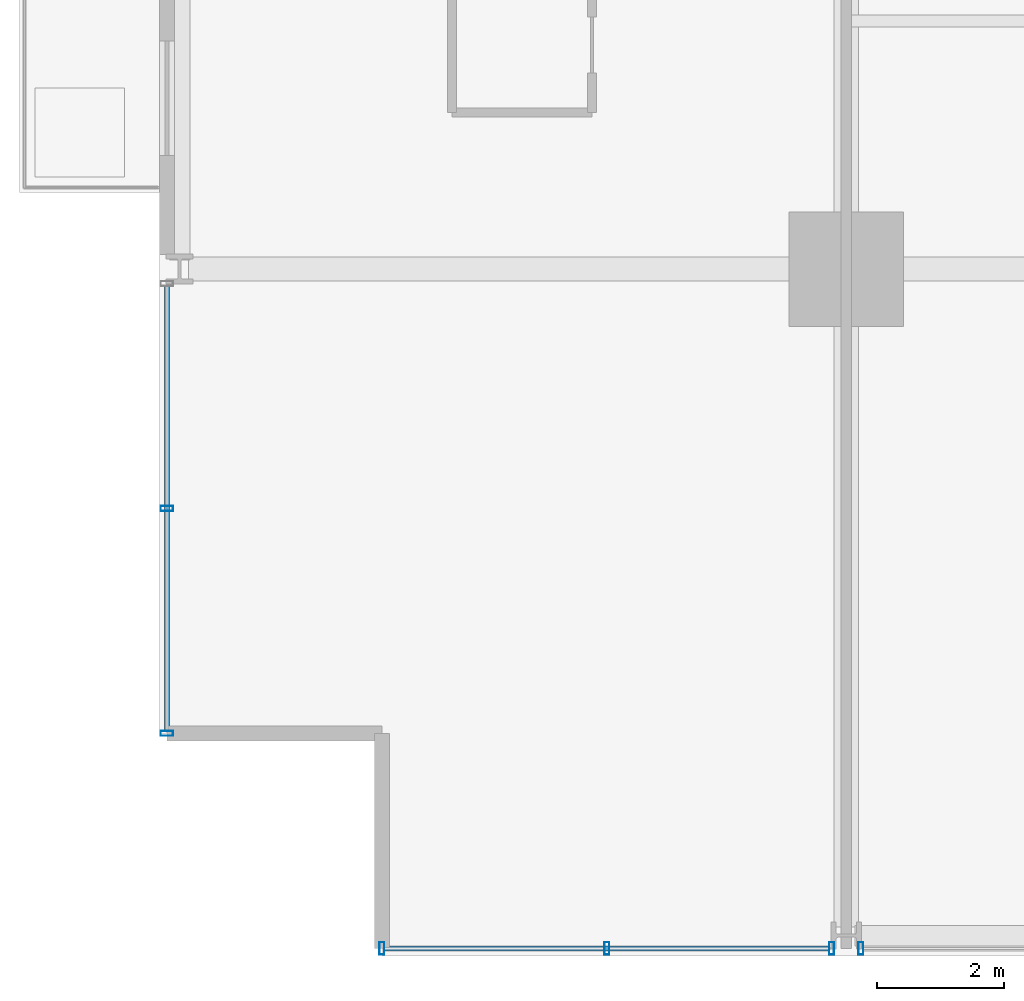
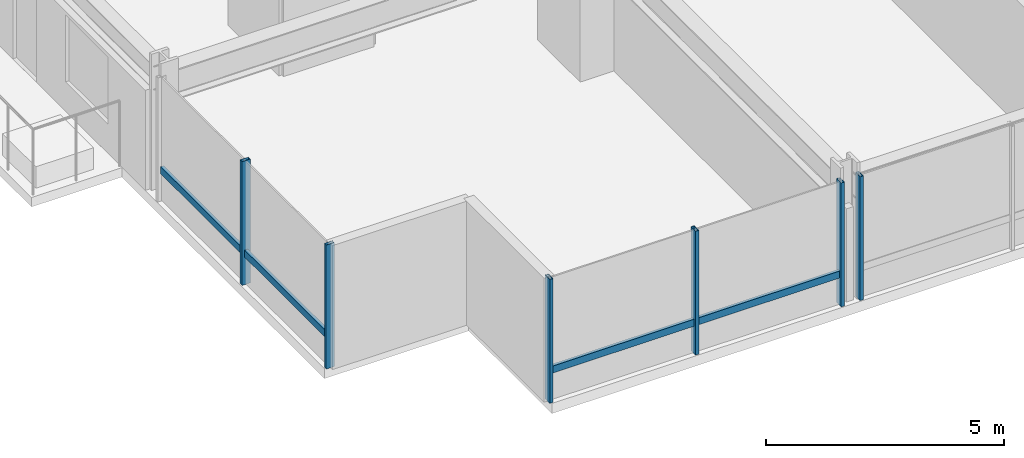
# One storey, part 2 of 37: 8 members, 3 elements without a shape of their own.
"""IFC4 building model written with IfcOpenShell, lengths in metres."""

from ifc_helpers import new_model, si_unit, direction, frame, origin, origin_2d, place, context, subcontext, project, spatial, hollow_rectangle, extrude, material, layer, layer_set, material_profile, profile_set, type_object, element, aggregate, save


model = new_model("IFC4")

# Units and contexts
model_context = context("Model", 3, precision=1e-05, world=origin(), true_north=direction((0.0, 1.0)))
body_context = subcontext(model_context, "Body", "Model", "MODEL_VIEW")
ifc_project = project(units=[si_unit("LENGTHUNIT", "METRE"), si_unit("AREAUNIT", "SQUARE_METRE"), si_unit("VOLUMEUNIT", "CUBIC_METRE"), si_unit("PLANEANGLEUNIT", "RADIAN"), si_unit("MASSUNIT", "GRAM", prefix="KILO")], contexts=[model_context])

# Site, building, storey
site_placement = place(None, origin())
site = spatial("IfcSite", under=ifc_project, at=site_placement, CompositionType="ELEMENT")
building_placement = place(site_placement, origin())
building = spatial("IfcBuilding", under=site, at=building_placement, Name="Drelvath Grand Hotel", CompositionType="ELEMENT")
storey_placement = place(building_placement, frame((0.0, 0.0, 78.699951171875)))
storey = spatial("IfcBuildingStorey", under=building, at=storey_placement, Name="L19", CompositionType="ELEMENT", Elevation=78.699951171875)

# Curtain wall, member
ifc_material = material(Name="Warm Bronze Anodised Aluminium Frame", Category="aluminium")
ifc_layer = layer(ifc_material, 0.199951171875)
ifc_layer_set = layer_set([ifc_layer], Name="Warm Bronze Anodised Aluminium Frame")
curtain_wall_type = type_object("IfcCurtainWallType", Name="Stick Curtain Wall CW-02 Warm Bronze Low-Rise", PredefinedType="NOTDEFINED", material=ifc_layer_set)
curtain_wall_1_placement = place(storey_placement, origin())
curtain_wall_1 = element("IfcCurtainWall", 1, at=curtain_wall_1_placement, inside=storey, type_object=curtain_wall_type, Name="L19 CW-02 Curtain Wall CW02-L19-WS1", PredefinedType="NOTDEFINED")
ifc_material_profile_1 = material_profile(ifc_material, hollow_rectangle(XDim=0.074951171875, YDim=0.179931640625, WallThickness=0.0048828125, at=origin_2d()), Name="HSS180X75X5")
ifc_profile_set_1 = profile_set([ifc_material_profile_1], Name="Warm Bronze Anodised Aluminium Frame")
member_type_1 = type_object("IfcMemberType", Name="Curtain Wall Horizontal Transom CW-02 HSS180X75X5", PredefinedType="USERDEFINED", material=ifc_profile_set_1)
member_1_placement = place(storey_placement, frame((-26.8798828125, 3.5400390625, 0.795166015625), z_axis=(0.0, 1.0, 0.0), x_axis=(-1.0, 0.0, 0.0)))
member_1 = element("IfcMember", 2, at=member_1_placement, type_object=member_type_1, Name="CW02-L19-WS1 Sill Transom", ObjectType="TRANSOM", PredefinedType="USERDEFINED", context=body_context, shape_type="SweptSolid", body=[
    extrude(hollow_rectangle(XDim=0.074951171875, YDim=0.179931640625, WallThickness=0.0048828125, at=origin_2d()), origin(), (0.0, 0.0, 1.0), 6.990966796875),
])

curtain_wall_2_placement = place(storey_placement, origin())
curtain_wall_2 = element("IfcCurtainWall", 3, at=curtain_wall_2_placement, inside=storey, type_object=curtain_wall_type, Name="L19 CW-02 Curtain Wall CW02-L19-SW1", PredefinedType="NOTDEFINED")
member_2_placement = place(storey_placement, frame((-16.468994140625, 0.1201171875, 0.795166015625), z_axis=(-1.0, 0.0, 0.0), x_axis=(0.0, -1.0, 0.0)))
member_2 = element("IfcMember", 4, at=member_2_placement, type_object=member_type_1, Name="CW02-L19-SW1 Sill Transom", ObjectType="TRANSOM", PredefinedType="USERDEFINED", context=body_context, shape_type="SweptSolid", body=[
    extrude(hollow_rectangle(XDim=0.074951171875, YDim=0.179931640625, WallThickness=0.0048828125, at=origin_2d()), origin(), (0.0, 0.0, 1.0), 6.990966796875),
])

# Member
ifc_material_profile_2 = material_profile(ifc_material, hollow_rectangle(XDim=0.080078125, YDim=0.199951171875, WallThickness=0.0048828125, at=origin_2d()), Name="HSS200X80X5")
ifc_profile_set_2 = profile_set([ifc_material_profile_2], Name="Warm Bronze Anodised Aluminium Frame")
member_type_2 = type_object("IfcMemberType", Name="Curtain Wall Vertical Mullion CW-02 HSS200X80X5", PredefinedType="MULLION", material=ifc_profile_set_2)
member_3_placement = place(storey_placement, frame((-26.8798828125, 3.5, 0.0), z_axis=(0.0, 0.0, 1.0), x_axis=(0.0, 1.0, 0.0)))
member_3 = element("IfcMember", 5, at=member_3_placement, type_object=member_type_2, Name="CW02-L19-WS1 Mullion 1", PredefinedType="MULLION", context=body_context, shape_type="SweptSolid", body=[
    extrude(hollow_rectangle(XDim=0.080078125, YDim=0.199951171875, WallThickness=0.0048828125, at=origin_2d()), origin(), (0.0, 0.0, 1.0), 3.179931640625),
])

member_4_placement = place(storey_placement, frame((-26.8798828125, 7.035400390625, 0.0), z_axis=(0.0, 0.0, 1.0), x_axis=(0.0, 1.0, 0.0)))
member_4 = element("IfcMember", 6, at=member_4_placement, type_object=member_type_2, Name="CW02-L19-WS1 Mullion 2", PredefinedType="MULLION", context=body_context, shape_type="SweptSolid", body=[
    extrude(hollow_rectangle(XDim=0.080078125, YDim=0.199951171875, WallThickness=0.0048828125, at=origin_2d()), origin(), (0.0, 0.0, 1.0), 3.179931640625),
])

aggregate(curtain_wall_1, [member_3, member_4, member_1])

member_5_placement = place(storey_placement, frame((-16.42919921875, 0.1201171875, 0.0), z_axis=(0.0, 0.0, 1.0), x_axis=(1.0, 0.0, 0.0)))
member_5 = element("IfcMember", 7, at=member_5_placement, type_object=member_type_2, Name="CW02-L19-SW1 Mullion 1", PredefinedType="MULLION", context=body_context, shape_type="SweptSolid", body=[
    extrude(hollow_rectangle(XDim=0.080078125, YDim=0.199951171875, WallThickness=0.0048828125, at=origin_2d()), origin(), (0.0, 0.0, 1.0), 3.179931640625),
])

member_6_placement = place(storey_placement, frame((-19.964599609375, 0.1201171875, 0.0), z_axis=(0.0, 0.0, 1.0), x_axis=(1.0, 0.0, 0.0)))
member_6 = element("IfcMember", 8, at=member_6_placement, type_object=member_type_2, Name="CW02-L19-SW1 Mullion 2", PredefinedType="MULLION", context=body_context, shape_type="SweptSolid", body=[
    extrude(hollow_rectangle(XDim=0.080078125, YDim=0.199951171875, WallThickness=0.0048828125, at=origin_2d()), origin(), (0.0, 0.0, 1.0), 3.179931640625),
])

member_7_placement = place(storey_placement, frame((-23.5, 0.1201171875, 0.0), z_axis=(0.0, 0.0, 1.0), x_axis=(1.0, 0.0, 0.0)))
member_7 = element("IfcMember", 9, at=member_7_placement, type_object=member_type_2, Name="CW02-L19-SW1 Mullion 3", PredefinedType="MULLION", context=body_context, shape_type="SweptSolid", body=[
    extrude(hollow_rectangle(XDim=0.080078125, YDim=0.199951171875, WallThickness=0.0048828125, at=origin_2d()), origin(), (0.0, 0.0, 1.0), 3.179931640625),
])

aggregate(curtain_wall_2, [member_5, member_6, member_7, member_2])

# Curtain wall, member
curtain_wall_3_placement = place(storey_placement, origin())
curtain_wall_3 = element("IfcCurtainWall", 10, at=curtain_wall_3_placement, inside=storey, type_object=curtain_wall_type, Name="L19 CW-02 Curtain Wall CW02-L19-SW2", PredefinedType="NOTDEFINED")
member_8_placement = place(storey_placement, frame((-15.970947265625, 0.1201171875, 0.0), z_axis=(0.0, 0.0, 1.0), x_axis=(1.0, 0.0, 0.0)))
member_8 = element("IfcMember", 11, at=member_8_placement, type_object=member_type_2, Name="CW02-L19-SW2 Mullion 3", PredefinedType="MULLION", context=body_context, shape_type="SweptSolid", body=[
    extrude(hollow_rectangle(XDim=0.080078125, YDim=0.199951171875, WallThickness=0.0048828125, at=origin_2d()), origin(), (0.0, 0.0, 1.0), 3.179931640625),
])
aggregate(curtain_wall_3, [member_8])

save(model, "model.ifc")
